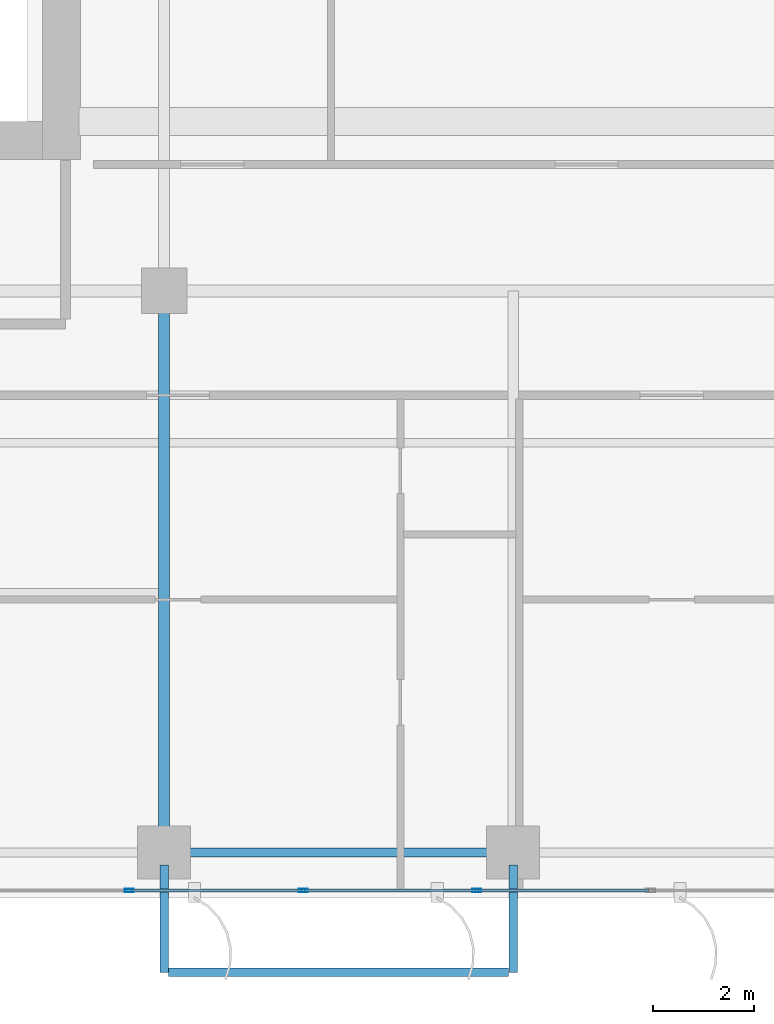
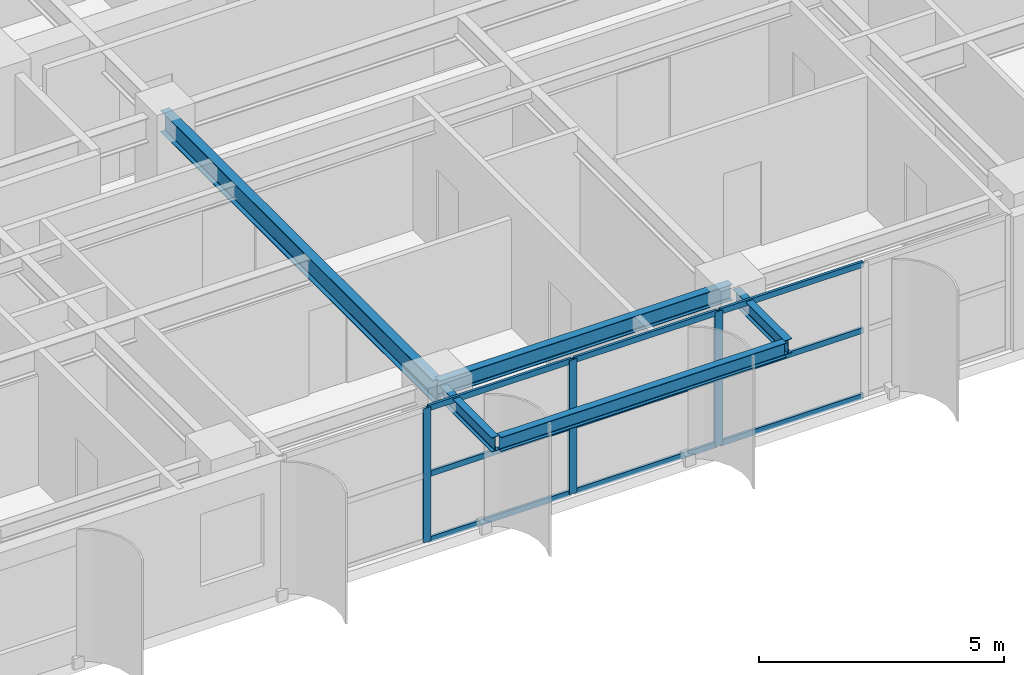
# One storey, part 4 of 27: 12 members, 5 beams, 1 element without a shape of its own.
"""IFC4 building model written with IfcOpenShell, lengths in metres."""

from ifc_helpers import new_model, si_unit, direction, frame, origin, origin_2d, place, context, subcontext, project, spatial, hollow_rectangle, i_section, extrude, source, transform, mapped, material, layer, layer_set, material_profile, profile_set, type_object, element, aggregate, save


model = new_model("IFC4")

# Units and contexts
model_context = context("Model", 3, precision=1e-05, world=origin(), true_north=direction((0.0, 1.0)))
body_context = subcontext(model_context, "Body", "Model", "MODEL_VIEW")
ifc_project = project(units=[si_unit("LENGTHUNIT", "METRE"), si_unit("AREAUNIT", "SQUARE_METRE"), si_unit("VOLUMEUNIT", "CUBIC_METRE"), si_unit("PLANEANGLEUNIT", "RADIAN"), si_unit("MASSUNIT", "GRAM", prefix="KILO")], contexts=[model_context])

# Site, building, storey
site_placement = place(None, origin())
site = spatial("IfcSite", under=ifc_project, at=site_placement, CompositionType="ELEMENT")
building_placement = place(site_placement, origin())
building = spatial("IfcBuilding", under=site, at=building_placement, Name="Khoralis Quay Care Tower", CompositionType="ELEMENT")
storey_placement = place(building_placement, frame((0.0, 0.0, 105.300048828125)))
storey = spatial("IfcBuildingStorey", under=building, at=storey_placement, Name="L27", CompositionType="ELEMENT", Elevation=105.300048828125)

# Beams
ifc_material_1 = material(Name="Steel S355", Category="steel")
ifc_material_profile_1 = material_profile(ifc_material_1, i_section(OverallWidth=0.179931640625, OverallDepth=0.39990234375, WebThickness=0.008544921875, FlangeThickness=0.013427734375, FilletRadius=0.02099609375, at=origin_2d()), Name="Steel S355")
ifc_profile_set_1 = profile_set([ifc_material_profile_1], Name="Steel S355")
beam_type_1 = type_object("IfcBeamType", Name="BM-IPE400", PredefinedType="SPANDREL", material=ifc_profile_set_1)
shared_shape_1 = source(origin(), body_context, "Body", "SweptSolid", [
    extrude(i_section(OverallWidth=0.179931640625, OverallDepth=0.39990234375, WebThickness=0.008544921875, FlangeThickness=0.013427734375, FilletRadius=0.02099609375, at=origin_2d()), origin(), (0.0, 0.0, 1.0), 6.89990234375),
])
beam_1_placement = place(storey_placement, frame((17.10009765625, 0.89990234375, 3.139892578125), z_axis=(1.0, 0.0, 0.0), x_axis=(0.0, 1.0, 0.0)))
element("IfcBeam", 1, at=beam_1_placement, inside=storey, type_object=beam_type_1, Name="BM-TSP-L27-03", PredefinedType="SPANDREL", context=body_context, shape_type="MappedRepresentation", body=[
    mapped(shared_shape_1, transform((0.0, 0.0, 0.0), scale=1.0)),
])
ifc_material_profile_2 = material_profile(ifc_material_1, i_section(OverallWidth=0.2119140625, OverallDepth=0.5439453125, WebThickness=0.01318359375, FlangeThickness=0.021240234375, FilletRadius=0.01611328125, at=origin_2d()), Name="Steel S355")
ifc_profile_set_2 = profile_set([ifc_material_profile_2], Name="Steel S355")
beam_type_2 = type_object("IfcBeamType", Name="BM-W530X123", PredefinedType="BEAM", material=ifc_profile_set_2)
shared_shape_2 = source(origin(), body_context, "Body", "SweptSolid", [
    extrude(i_section(OverallWidth=0.2119140625, OverallDepth=0.5439453125, WebThickness=0.01318359375, FlangeThickness=0.021240234375, FilletRadius=0.01611328125, at=origin_2d()), origin(), (0.0, 0.0, 1.0), 11.10009765625),
])
beam_2_placement = place(storey_placement, frame((17.10009765625, 0.89990234375, 3.06787109375), z_axis=(0.0, 1.0, 0.0), x_axis=(-1.0, 0.0, 0.0)))
element("IfcBeam", 2, at=beam_2_placement, inside=storey, type_object=beam_type_2, Name="BM-TGYS-L27-171", PredefinedType="BEAM", context=body_context, shape_type="MappedRepresentation", body=[
    mapped(shared_shape_2, transform((0.0, 0.0, 0.0), scale=1.0)),
])
ifc_material_profile_3 = material_profile(ifc_material_1, i_section(OverallWidth=0.169921875, OverallDepth=0.360107421875, WebThickness=0.008056640625, FlangeThickness=0.0126953125, FilletRadius=0.01806640625, at=origin_2d()), Name="Steel S355")
ifc_profile_set_3 = profile_set([ifc_material_profile_3], Name="Steel S355")
beam_type_3 = type_object("IfcBeamType", Name="BM-IPE360", PredefinedType="SPANDREL", material=ifc_profile_set_3)
shared_shape_3 = source(origin(), body_context, "Body", "SweptSolid", [
    extrude(i_section(OverallWidth=0.169921875, OverallDepth=0.360107421875, WebThickness=0.008056640625, FlangeThickness=0.0126953125, FilletRadius=0.01806640625, at=origin_2d()), origin(), (0.0, 0.0, 1.0), 2.119873046875),
])
for number, where, z_axis, x_axis, name in (
    (3, (17.10009765625, 0.64990234375, 3.1640625), (0.0, -1.0, 0.0), (1.0, 0.0, 0.0), "L28 Balcony Cantilever Outrigger Beam 1"),
    (4, (24.0, 0.64990234375, 3.1640625), (0.0, -1.0, 0.0), (1.0, 0.0, 0.0), "L28 Balcony Cantilever Outrigger Beam 2"),
):
    element("IfcBeam", number, at=place(storey_placement, frame(where, z_axis=z_axis, x_axis=x_axis)), inside=storey, type_object=beam_type_3, Name=name, PredefinedType="SPANDREL", context=body_context, shape_type="MappedRepresentation", body=[
        mapped(shared_shape_3, transform((0.0, 0.0, 0.0), scale=1.0)),
    ])
shared_shape_4 = source(origin(), body_context, "Body", "SweptSolid", [
    extrude(i_section(OverallWidth=0.169921875, OverallDepth=0.360107421875, WebThickness=0.008056640625, FlangeThickness=0.0126953125, FilletRadius=0.01806640625, at=origin_2d()), origin(), (0.0, 0.0, 1.0), 6.72412109375),
])
beam_3_placement = place(storey_placement, frame((17.18798828125, -1.469970703125, 3.1640625), z_axis=(1.0, 0.0, 0.0), x_axis=(0.0, 1.0, 0.0)))
element("IfcBeam", 5, at=beam_3_placement, inside=storey, type_object=beam_type_3, Name="L28 Balcony Edge Spandrel Beam P1E0", PredefinedType="SPANDREL", context=body_context, shape_type="MappedRepresentation", body=[
    mapped(shared_shape_4, transform((0.0, 0.0, 0.0), scale=1.0)),
])

# Curtain wall, members
ifc_material_2 = material(Name="Pale anodised aluminium", Category="aluminium")
ifc_layer = layer(ifc_material_2, 0.169921875)
ifc_layer_set = layer_set([ifc_layer], Name="Pale anodised aluminium")
curtain_wall_type = type_object("IfcCurtainWallType", Name="CW-SYS-Z2", PredefinedType="NOTDEFINED", material=ifc_layer_set)
curtain_wall_placement = place(storey_placement, origin())
curtain_wall = element("IfcCurtainWall", 6, at=curtain_wall_placement, inside=storey, type_object=curtain_wall_type, Name="L27 Unitised Curtain Wall CW-L27-P1-E0", PredefinedType="NOTDEFINED")
ifc_material_profile_4 = material_profile(ifc_material_2, hollow_rectangle(XDim=0.06494140625, YDim=0.179931640625, WallThickness=0.00390625, at=origin_2d()), Name="Pale anodised aluminium")
ifc_profile_set_4 = profile_set([ifc_material_profile_4], Name="Pale anodised aluminium")
member_type_1 = type_object("IfcMemberType", Name="CW-MUL-180", PredefinedType="MULLION", material=ifc_profile_set_4)
shared_shape_5 = source(origin(), body_context, "Body", "SweptSolid", [
    extrude(hollow_rectangle(XDim=0.06494140625, YDim=0.179931640625, WallThickness=0.00390625, at=origin_2d()), origin(), (0.0, 0.0, 1.0), 3.33984375),
])
member_1_placement = place(storey_placement, frame((16.4140625, 0.14990234375, 0.0), z_axis=(0.0, 0.0, 1.0), x_axis=(0.0, 1.0, 0.0)))
member_1 = element("IfcMember", 7, at=member_1_placement, type_object=member_type_1, Name="CW2 mullion 2", PredefinedType="MULLION", context=body_context, shape_type="MappedRepresentation", body=[
    mapped(shared_shape_5, transform((0.0, 0.0, 0.0), scale=1.0)),
])
member_2_placement = place(storey_placement, frame((19.847900390625, 0.14990234375, 0.0), z_axis=(0.0, 0.0, 1.0), x_axis=(0.0, 1.0, 0.0)))
member_2 = element("IfcMember", 8, at=member_2_placement, type_object=member_type_1, Name="CW2 mullion 3", PredefinedType="MULLION", context=body_context, shape_type="MappedRepresentation", body=[
    mapped(shared_shape_5, transform((0.0, 0.0, 0.0), scale=1.0)),
])
member_3_placement = place(storey_placement, frame((23.281982421875, 0.14990234375, 0.0), z_axis=(0.0, 0.0, 1.0), x_axis=(0.0, 1.0, 0.0)))
member_3 = element("IfcMember", 9, at=member_3_placement, type_object=member_type_1, Name="CW2 mullion 4", PredefinedType="MULLION", context=body_context, shape_type="MappedRepresentation", body=[
    mapped(shared_shape_5, transform((0.0, 0.0, 0.0), scale=1.0)),
])
ifc_material_profile_5 = material_profile(ifc_material_2, hollow_rectangle(XDim=0.06005859375, YDim=0.139892578125, WallThickness=0.00390625, at=origin_2d()), Name="Pale anodised aluminium")
ifc_profile_set_5 = profile_set([ifc_material_profile_5], Name="Pale anodised aluminium")
member_type_2 = type_object("IfcMemberType", Name="CW-TRN-140", PredefinedType="USERDEFINED", material=ifc_profile_set_5)
shared_shape_6 = source(origin(), body_context, "Body", "SweptSolid", [
    extrude(hollow_rectangle(XDim=0.06005859375, YDim=0.139892578125, WallThickness=0.00390625, at=origin_2d()), origin(), (0.0, 0.0, 1.0), 3.3740234375),
])
member_4_placement = place(storey_placement, frame((16.444091796875, 0.14990234375, 0.030029296875), z_axis=(1.0, 0.0, 0.0), x_axis=(0.0, 1.0, 0.0)))
member_4 = element("IfcMember", 10, at=member_4_placement, type_object=member_type_2, Name="CW2 transom 2.1", ObjectType="TRANSOM", PredefinedType="USERDEFINED", context=body_context, shape_type="MappedRepresentation", body=[
    mapped(shared_shape_6, transform((0.0, 0.0, 0.0), scale=1.0)),
])
member_5_placement = place(storey_placement, frame((16.444091796875, 0.14990234375, 1.669921875), z_axis=(1.0, 0.0, 0.0), x_axis=(0.0, 1.0, 0.0)))
member_5 = element("IfcMember", 11, at=member_5_placement, type_object=member_type_2, Name="CW2 transom 2.2", ObjectType="TRANSOM", PredefinedType="USERDEFINED", context=body_context, shape_type="MappedRepresentation", body=[
    mapped(shared_shape_6, transform((0.0, 0.0, 0.0), scale=1.0)),
])
member_6_placement = place(storey_placement, frame((16.444091796875, 0.14990234375, 3.31005859375), z_axis=(1.0, 0.0, 0.0), x_axis=(0.0, 1.0, 0.0)))
member_6 = element("IfcMember", 12, at=member_6_placement, type_object=member_type_2, Name="CW2 transom 2.3", ObjectType="TRANSOM", PredefinedType="USERDEFINED", context=body_context, shape_type="MappedRepresentation", body=[
    mapped(shared_shape_6, transform((0.0, 0.0, 0.0), scale=1.0)),
])
member_7_placement = place(storey_placement, frame((19.8779296875, 0.14990234375, 0.030029296875), z_axis=(1.0, 0.0, 0.0), x_axis=(0.0, 1.0, 0.0)))
member_7 = element("IfcMember", 13, at=member_7_placement, type_object=member_type_2, Name="CW2 transom 3.1", ObjectType="TRANSOM", PredefinedType="USERDEFINED", context=body_context, shape_type="MappedRepresentation", body=[
    mapped(shared_shape_6, transform((0.0, 0.0, 0.0), scale=1.0)),
])
member_8_placement = place(storey_placement, frame((19.8779296875, 0.14990234375, 1.669921875), z_axis=(1.0, 0.0, 0.0), x_axis=(0.0, 1.0, 0.0)))
member_8 = element("IfcMember", 14, at=member_8_placement, type_object=member_type_2, Name="CW2 transom 3.2", ObjectType="TRANSOM", PredefinedType="USERDEFINED", context=body_context, shape_type="MappedRepresentation", body=[
    mapped(shared_shape_6, transform((0.0, 0.0, 0.0), scale=1.0)),
])
member_9_placement = place(storey_placement, frame((19.8779296875, 0.14990234375, 3.31005859375), z_axis=(1.0, 0.0, 0.0), x_axis=(0.0, 1.0, 0.0)))
member_9 = element("IfcMember", 15, at=member_9_placement, type_object=member_type_2, Name="CW2 transom 3.3", ObjectType="TRANSOM", PredefinedType="USERDEFINED", context=body_context, shape_type="MappedRepresentation", body=[
    mapped(shared_shape_6, transform((0.0, 0.0, 0.0), scale=1.0)),
])
member_10_placement = place(storey_placement, frame((23.31201171875, 0.14990234375, 0.030029296875), z_axis=(1.0, 0.0, 0.0), x_axis=(0.0, 1.0, 0.0)))
member_10 = element("IfcMember", 16, at=member_10_placement, type_object=member_type_2, Name="CW2 transom 4.1", ObjectType="TRANSOM", PredefinedType="USERDEFINED", context=body_context, shape_type="MappedRepresentation", body=[
    mapped(shared_shape_6, transform((0.0, 0.0, 0.0), scale=1.0)),
])
member_11_placement = place(storey_placement, frame((23.31201171875, 0.14990234375, 1.669921875), z_axis=(1.0, 0.0, 0.0), x_axis=(0.0, 1.0, 0.0)))
member_11 = element("IfcMember", 17, at=member_11_placement, type_object=member_type_2, Name="CW2 transom 4.2", ObjectType="TRANSOM", PredefinedType="USERDEFINED", context=body_context, shape_type="MappedRepresentation", body=[
    mapped(shared_shape_6, transform((0.0, 0.0, 0.0), scale=1.0)),
])
member_12_placement = place(storey_placement, frame((23.31201171875, 0.14990234375, 3.31005859375), z_axis=(1.0, 0.0, 0.0), x_axis=(0.0, 1.0, 0.0)))
member_12 = element("IfcMember", 18, at=member_12_placement, type_object=member_type_2, Name="CW2 transom 4.3", ObjectType="TRANSOM", PredefinedType="USERDEFINED", context=body_context, shape_type="MappedRepresentation", body=[
    mapped(shared_shape_6, transform((0.0, 0.0, 0.0), scale=1.0)),
])
aggregate(curtain_wall, [member_1, member_2, member_3, member_4, member_5, member_6, member_7, member_8, member_9, member_10, member_11, member_12])

save(model, "model.ifc")
